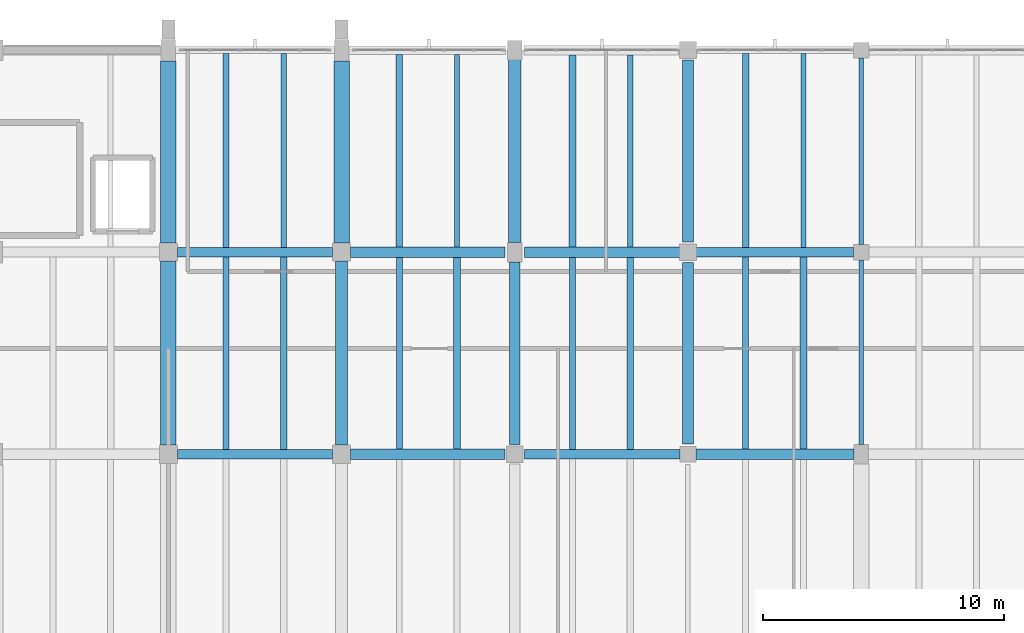
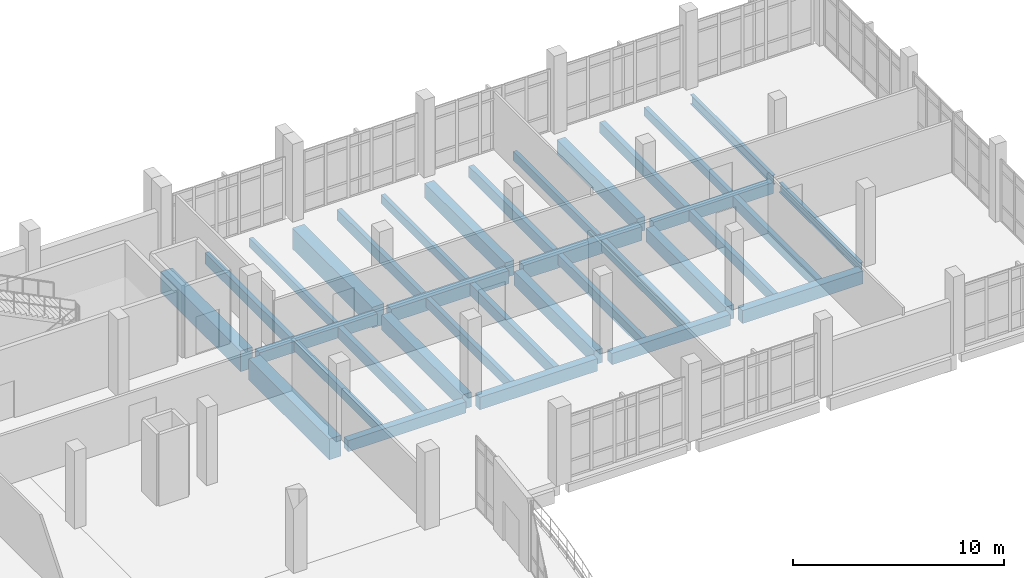
# One storey, part 73 of 116: 34 beams.
"""IFC4 building model written with IfcOpenShell, lengths in metres."""

from ifc_helpers import new_model, si_unit, direction, frame, origin, origin_2d, place, context, subcontext, project, spatial, rectangle, i_section, extrude, material, material_profile, profile_set, type_object, element, save


model = new_model("IFC4")

# Units and contexts
model_context = context("Model", 3, precision=1e-05, world=origin(), true_north=direction((0.0, 1.0)))
body_context = subcontext(model_context, "Body", "Model", "MODEL_VIEW")
ifc_project = project(units=[si_unit("LENGTHUNIT", "METRE"), si_unit("AREAUNIT", "SQUARE_METRE"), si_unit("VOLUMEUNIT", "CUBIC_METRE"), si_unit("PLANEANGLEUNIT", "RADIAN"), si_unit("MASSUNIT", "GRAM", prefix="KILO")], contexts=[model_context])

# Site, building, storey
site_placement = place(None, origin())
site = spatial("IfcSite", under=ifc_project, at=site_placement, CompositionType="ELEMENT")
building_placement = place(site_placement, origin())
building = spatial("IfcBuilding", under=site, at=building_placement, Name="Kalluvel Institute of Natural Sciences", CompositionType="ELEMENT")
storey_placement = place(building_placement, frame((0.0, 0.0, 14.39990234375)))
storey = spatial("IfcBuildingStorey", under=building, at=storey_placement, Name="L03", CompositionType="ELEMENT", Elevation=14.39990234375)

# Beams
ifc_material_1 = material(Name="Steel E350 Grade 350", Category="steel")
ifc_material_profile_1 = material_profile(ifc_material_1, i_section(OverallWidth=0.18994140625, OverallDepth=0.550048828125, WebThickness=0.01123046875, FlangeThickness=0.019287109375, FilletRadius=0.01806640625, at=origin_2d()), Name="ISMB 550")
ifc_profile_set_1 = profile_set([ifc_material_profile_1], Name="Steel E350 Grade 350")
beam_type_1 = type_object("IfcBeamType", Name="BM-ISMB550", PredefinedType="BEAM", material=ifc_profile_set_1)
beam_1_placement = place(storey_placement, frame((107.60009765625, 111.60009765625, -0.594970703125), z_axis=(0.0, 1.0, 0.0), x_axis=(-1.0, 0.0, 0.0)))
element("IfcBeam", 1, at=beam_1_placement, inside=storey, type_object=beam_type_1, Name="L03 girder GIR-L03-NS-X1076-Y1112", PredefinedType="BEAM", context=body_context, shape_type="SweptSolid", body=[
    extrude(i_section(OverallWidth=0.18994140625, OverallDepth=0.550048828125, WebThickness=0.01123046875, FlangeThickness=0.019287109375, FilletRadius=0.01806640625, at=origin_2d()), origin(), (0.0, 0.0, 1.0), 7.6748046875),
])
beam_2_placement = place(storey_placement, frame((107.60009765625, 119.925048828125, -0.594970703125), z_axis=(0.0, 1.0, 0.0), x_axis=(-1.0, 0.0, 0.0)))
element("IfcBeam", 2, at=beam_2_placement, inside=storey, type_object=beam_type_1, Name="L03 girder GIR-L03-NS-X1076-Y1196", PredefinedType="BEAM", context=body_context, shape_type="SweptSolid", body=[
    extrude(i_section(OverallWidth=0.18994140625, OverallDepth=0.550048828125, WebThickness=0.01123046875, FlangeThickness=0.019287109375, FilletRadius=0.01806640625, at=origin_2d()), origin(), (0.0, 0.0, 1.0), 7.75),
])
ifc_material_2 = material(Name="Concrete M40", Category="concrete")
ifc_material_profile_2 = material_profile(ifc_material_2, rectangle(XDim=0.3798828125, YDim=0.639892578125, at=origin_2d()), Name="RCB 380x640")
ifc_profile_set_2 = profile_set([ifc_material_profile_2], Name="Concrete M40")
beam_type_2 = type_object("IfcBeamType", Name="BM-RC380x640", PredefinedType="BEAM", material=ifc_profile_set_2)
beam_3_placement = place(storey_placement, frame((79.175048828125, 111.199951171875, -0.639892578125), z_axis=(1.0, 0.0, 0.0), x_axis=(0.0, 1.0, 0.0)))
element("IfcBeam", 3, at=beam_3_placement, inside=storey, type_object=beam_type_2, Name="L03 girder GIR-L03-EW-X788-Y1112", PredefinedType="BEAM", context=body_context, shape_type="SweptSolid", body=[
    extrude(rectangle(XDim=0.3798828125, YDim=0.639892578125, at=origin_2d()), origin(), (0.0, 0.0, 1.0), 6.449951171875),
])
beam_4_placement = place(storey_placement, frame((100.72509765625, 119.60009765625, -0.639892578125), z_axis=(1.0, 0.0, 0.0), x_axis=(0.0, 1.0, 0.0)))
element("IfcBeam", 4, at=beam_4_placement, inside=storey, type_object=beam_type_2, Name="L03 girder GIR-L03-EW-X1004-Y1196", PredefinedType="BEAM", context=body_context, shape_type="SweptSolid", body=[
    extrude(rectangle(XDim=0.3798828125, YDim=0.639892578125, at=origin_2d()), origin(), (0.0, 0.0, 1.0), 6.5498046875),
])
ifc_material_profile_3 = material_profile(ifc_material_2, rectangle(XDim=0.39990234375, YDim=0.64990234375, at=origin_2d()), Name="RCB 400x650")
ifc_profile_set_3 = profile_set([ifc_material_profile_3], Name="Concrete M40")
beam_type_3 = type_object("IfcBeamType", Name="BM-RC400x650", PredefinedType="BEAM", material=ifc_profile_set_3)
beam_5_placement = place(storey_placement, frame((93.60009765625, 111.199951171875, -0.64501953125), z_axis=(1.0, 0.0, 0.0), x_axis=(0.0, 1.0, 0.0)))
element("IfcBeam", 5, at=beam_5_placement, inside=storey, type_object=beam_type_3, Name="L03 girder GIR-L03-EW-X932-Y1112", PredefinedType="BEAM", context=body_context, shape_type="SweptSolid", body=[
    extrude(rectangle(XDim=0.39990234375, YDim=0.64990234375, at=origin_2d()), origin(), (0.0, 0.0, 1.0), 6.474853515625),
])
beam_6_placement = place(storey_placement, frame((79.175048828125, 119.60009765625, -0.64501953125), z_axis=(1.0, 0.0, 0.0), x_axis=(0.0, 1.0, 0.0)))
element("IfcBeam", 6, at=beam_6_placement, inside=storey, type_object=beam_type_3, Name="L03 girder GIR-L03-EW-X788-Y1196", PredefinedType="BEAM", context=body_context, shape_type="SweptSolid", body=[
    extrude(rectangle(XDim=0.39990234375, YDim=0.64990234375, at=origin_2d()), origin(), (0.0, 0.0, 1.0), 6.449951171875),
])
ifc_material_profile_4 = material_profile(ifc_material_2, rectangle(XDim=0.419921875, YDim=0.719970703125, at=origin_2d()), Name="RCB 420x720")
ifc_profile_set_4 = profile_set([ifc_material_profile_4], Name="Concrete M40")
beam_type_4 = type_object("IfcBeamType", Name="BM-RC420x720", PredefinedType="BEAM", material=ifc_profile_set_4)
beam_7_placement = place(storey_placement, frame((86.375, 111.199951171875, -0.679931640625), z_axis=(1.0, 0.0, 0.0), x_axis=(0.0, 1.0, 0.0)))
element("IfcBeam", 7, at=beam_7_placement, inside=storey, type_object=beam_type_4, Name="L03 girder GIR-L03-EW-X860-Y1112", PredefinedType="BEAM", context=body_context, shape_type="SweptSolid", body=[
    extrude(rectangle(XDim=0.419921875, YDim=0.719970703125, at=origin_2d()), origin(), (0.0, 0.0, 1.0), 6.425048828125),
])
ifc_material_profile_5 = material_profile(ifc_material_2, rectangle(XDim=0.449951171875, YDim=0.75, at=origin_2d()), Name="RCB 450x750")
ifc_profile_set_5 = profile_set([ifc_material_profile_5], Name="Concrete M40")
beam_type_5 = type_object("IfcBeamType", Name="BM-RC450x750", PredefinedType="BEAM", material=ifc_profile_set_5)
beam_8_placement = place(storey_placement, frame((100.72509765625, 111.199951171875, -0.69482421875), z_axis=(1.0, 0.0, 0.0), x_axis=(0.0, 1.0, 0.0)))
element("IfcBeam", 8, at=beam_8_placement, inside=storey, type_object=beam_type_5, Name="L03 girder GIR-L03-EW-X1004-Y1112", PredefinedType="BEAM", context=body_context, shape_type="SweptSolid", body=[
    extrude(rectangle(XDim=0.449951171875, YDim=0.75, at=origin_2d()), origin(), (0.0, 0.0, 1.0), 6.574951171875),
])
beam_9_placement = place(storey_placement, frame((86.375, 119.60009765625, -0.69482421875), z_axis=(1.0, 0.0, 0.0), x_axis=(0.0, 1.0, 0.0)))
element("IfcBeam", 9, at=beam_9_placement, inside=storey, type_object=beam_type_5, Name="L03 girder GIR-L03-EW-X860-Y1196", PredefinedType="BEAM", context=body_context, shape_type="SweptSolid", body=[
    extrude(rectangle(XDim=0.449951171875, YDim=0.75, at=origin_2d()), origin(), (0.0, 0.0, 1.0), 6.425048828125),
])
ifc_material_profile_6 = material_profile(ifc_material_2, rectangle(XDim=0.449951171875, YDim=0.800048828125, at=origin_2d()), Name="RCB 450x800")
ifc_profile_set_6 = profile_set([ifc_material_profile_6], Name="Concrete M40")
beam_type_6 = type_object("IfcBeamType", Name="BM-RC450x800", PredefinedType="BEAM", material=ifc_profile_set_6)
beam_10_placement = place(storey_placement, frame((93.60009765625, 119.60009765625, -0.719970703125), z_axis=(1.0, 0.0, 0.0), x_axis=(0.0, 1.0, 0.0)))
element("IfcBeam", 10, at=beam_10_placement, inside=storey, type_object=beam_type_6, Name="L03 girder GIR-L03-EW-X932-Y1196", PredefinedType="BEAM", context=body_context, shape_type="SweptSolid", body=[
    extrude(rectangle(XDim=0.449951171875, YDim=0.800048828125, at=origin_2d()), origin(), (0.0, 0.0, 1.0), 6.474853515625),
])
beam_11_placement = place(storey_placement, frame((93.199951171875, 111.60009765625, -0.719970703125), z_axis=(0.0, 1.0, 0.0), x_axis=(-1.0, 0.0, 0.0)))
element("IfcBeam", 11, at=beam_11_placement, inside=storey, type_object=beam_type_6, Name="L03 girder GIR-L03-NS-X932-Y1112", PredefinedType="BEAM", context=body_context, shape_type="SweptSolid", body=[
    extrude(rectangle(XDim=0.449951171875, YDim=0.800048828125, at=origin_2d()), origin(), (0.0, 0.0, 1.0), 7.599853515625),
])
beam_12_placement = place(storey_placement, frame((100.39990234375, 111.625, -0.719970703125), z_axis=(0.0, 1.0, 0.0), x_axis=(-1.0, 0.0, 0.0)))
element("IfcBeam", 12, at=beam_12_placement, inside=storey, type_object=beam_type_6, Name="L03 girder GIR-L03-NS-X1004-Y1112", PredefinedType="BEAM", context=body_context, shape_type="SweptSolid", body=[
    extrude(rectangle(XDim=0.449951171875, YDim=0.800048828125, at=origin_2d()), origin(), (0.0, 0.0, 1.0), 7.550048828125),
])
beam_13_placement = place(storey_placement, frame((100.39990234375, 120.02490234375, -0.719970703125), z_axis=(0.0, 1.0, 0.0), x_axis=(-1.0, 0.0, 0.0)))
element("IfcBeam", 13, at=beam_13_placement, inside=storey, type_object=beam_type_6, Name="L03 girder GIR-L03-NS-X1004-Y1196", PredefinedType="BEAM", context=body_context, shape_type="SweptSolid", body=[
    extrude(rectangle(XDim=0.449951171875, YDim=0.800048828125, at=origin_2d()), origin(), (0.0, 0.0, 1.0), 7.5751953125),
])
ifc_material_3 = material(Name="Concrete M50", Category="concrete")
ifc_material_profile_7 = material_profile(ifc_material_3, rectangle(XDim=0.5, YDim=0.85009765625, at=origin_2d()), Name="RCB 500x850")
ifc_profile_set_7 = profile_set([ifc_material_profile_7], Name="Concrete M50")
beam_type_7 = type_object("IfcBeamType", Name="BM-RC500x850", PredefinedType="BEAM", material=ifc_profile_set_7)
beam_14_placement = place(storey_placement, frame((86.0, 111.574951171875, -0.744873046875), z_axis=(0.0, 1.0, 0.0), x_axis=(-1.0, 0.0, 0.0)))
element("IfcBeam", 14, at=beam_14_placement, inside=storey, type_object=beam_type_7, Name="L03 girder GIR-L03-NS-X860-Y1112", PredefinedType="BEAM", context=body_context, shape_type="SweptSolid", body=[
    extrude(rectangle(XDim=0.5, YDim=0.85009765625, at=origin_2d()), origin(), (0.0, 0.0, 1.0), 7.650146484375),
])
beam_15_placement = place(storey_placement, frame((93.199951171875, 120.0, -0.744873046875), z_axis=(0.0, 1.0, 0.0), x_axis=(-1.0, 0.0, 0.0)))
element("IfcBeam", 15, at=beam_15_placement, inside=storey, type_object=beam_type_7, Name="L03 girder GIR-L03-NS-X932-Y1196", PredefinedType="BEAM", context=body_context, shape_type="SweptSolid", body=[
    extrude(rectangle(XDim=0.5, YDim=0.85009765625, at=origin_2d()), origin(), (0.0, 0.0, 1.0), 7.625),
])
ifc_material_profile_8 = material_profile(ifc_material_3, rectangle(XDim=0.64990234375, YDim=1.199951171875, at=origin_2d()), Name="RCB 650x1200")
ifc_profile_set_8 = profile_set([ifc_material_profile_8], Name="Concrete M50")
beam_type_8 = type_object("IfcBeamType", Name="BM-RC650x1200", PredefinedType="BEAM", material=ifc_profile_set_8)
beam_16_placement = place(storey_placement, frame((78.800048828125, 111.574951171875, -0.919921875), z_axis=(0.0, 1.0, 0.0), x_axis=(-1.0, 0.0, 0.0)))
element("IfcBeam", 16, at=beam_16_placement, inside=storey, type_object=beam_type_8, Name="L03 girder GIR-L03-NS-X788-Y1112", PredefinedType="BEAM", context=body_context, shape_type="SweptSolid", body=[
    extrude(rectangle(XDim=0.64990234375, YDim=1.199951171875, at=origin_2d()), origin(), (0.0, 0.0, 1.0), 7.650146484375),
])
for number, where, z_axis, x_axis, name in (
    (17, (78.800048828125, 119.97509765625, -0.919921875), (0.0, 1.0, 0.0), (-1.0, 0.0, 0.0), "L03 girder GIR-L03-NS-X788-Y1196"),
    (18, (86.0, 119.97509765625, -0.919921875), (0.0, 1.0, 0.0), (-1.0, 0.0, 0.0), "L03 girder GIR-L03-NS-X860-Y1196"),
):
    element("IfcBeam", number, at=place(storey_placement, frame(where, z_axis=z_axis, x_axis=x_axis)), inside=storey, type_object=beam_type_8, Name=name, PredefinedType="BEAM", context=body_context, shape_type="SweptSolid", body=[
        extrude(rectangle(XDim=0.64990234375, YDim=1.199951171875, at=origin_2d()), origin(), (0.0, 0.0, 1.0), 7.574951171875),
    ])
ifc_material_profile_9 = material_profile(ifc_material_2, rectangle(XDim=0.219970703125, YDim=0.5, at=origin_2d()), Name="WAF 220x500")
ifc_profile_set_9 = profile_set([ifc_material_profile_9], Name="Concrete M40")
beam_type_9 = type_object("IfcBeamType", Name="WJ-220x500", PredefinedType="JOIST", material=ifc_profile_set_9)
beam_17_placement = place(storey_placement, frame((83.60009765625, 119.800048828125, -0.56982421875), z_axis=(0.0, 1.0, 0.0), x_axis=(-1.0, 0.0, 0.0)))
element("IfcBeam", 19, at=beam_17_placement, inside=storey, type_object=beam_type_9, Name="L03 waffle joist RIB-L03-0268", PredefinedType="JOIST", context=body_context, shape_type="SweptSolid", body=[
    extrude(rectangle(XDim=0.219970703125, YDim=0.5, at=origin_2d()), origin(), (0.0, 0.0, 1.0), 8.050048828125),
])
beam_18_placement = place(storey_placement, frame((90.800048828125, 119.824951171875, -0.56982421875), z_axis=(0.0, 1.0, 0.0), x_axis=(-1.0, 0.0, 0.0)))
element("IfcBeam", 20, at=beam_18_placement, inside=storey, type_object=beam_type_9, Name="L03 waffle joist RIB-L03-0274", PredefinedType="JOIST", context=body_context, shape_type="SweptSolid", body=[
    extrude(rectangle(XDim=0.219970703125, YDim=0.5, at=origin_2d()), origin(), (0.0, 0.0, 1.0), 8.0),
])
beam_19_placement = place(storey_placement, frame((98.0, 119.824951171875, -0.56982421875), z_axis=(0.0, 1.0, 0.0), x_axis=(-1.0, 0.0, 0.0)))
element("IfcBeam", 21, at=beam_19_placement, inside=storey, type_object=beam_type_9, Name="L03 waffle joist RIB-L03-0280", PredefinedType="JOIST", context=body_context, shape_type="SweptSolid", body=[
    extrude(rectangle(XDim=0.219970703125, YDim=0.5, at=origin_2d()), origin(), (0.0, 0.0, 1.0), 7.97509765625),
])
beam_20_placement = place(storey_placement, frame((105.199951171875, 119.7900390625, -0.56982421875), z_axis=(0.0, 1.0, 0.0), x_axis=(-1.0, 0.0, 0.0)))
element("IfcBeam", 22, at=beam_20_placement, inside=storey, type_object=beam_type_9, Name="L03 waffle joist RIB-L03-0286", PredefinedType="JOIST", context=body_context, shape_type="SweptSolid", body=[
    extrude(rectangle(XDim=0.219970703125, YDim=0.5, at=origin_2d()), origin(), (0.0, 0.0, 1.0), 8.06005859375),
])
ifc_material_profile_10 = material_profile(ifc_material_2, rectangle(XDim=0.25, YDim=0.550048828125, at=origin_2d()), Name="WAF 250x550")
ifc_profile_set_10 = profile_set([ifc_material_profile_10], Name="Concrete M40")
beam_type_10 = type_object("IfcBeamType", Name="WJ-250x550", PredefinedType="JOIST", material=ifc_profile_set_10)
beam_21_placement = place(storey_placement, frame((81.199951171875, 111.389892578125, -0.594970703125), z_axis=(0.0, 1.0, 0.0), x_axis=(-1.0, 0.0, 0.0)))
element("IfcBeam", 23, at=beam_21_placement, inside=storey, type_object=beam_type_10, Name="L03 waffle joist RIB-L03-0265", PredefinedType="JOIST", context=body_context, shape_type="SweptSolid", body=[
    extrude(rectangle(XDim=0.25, YDim=0.550048828125, at=origin_2d()), origin(), (0.0, 0.0, 1.0), 8.010009765625),
])
beam_22_placement = place(storey_placement, frame((88.39990234375, 111.409912109375, -0.594970703125), z_axis=(0.0, 1.0, 0.0), x_axis=(-1.0, 0.0, 0.0)))
element("IfcBeam", 24, at=beam_22_placement, inside=storey, type_object=beam_type_10, Name="L03 waffle joist RIB-L03-0271", PredefinedType="JOIST", context=body_context, shape_type="SweptSolid", body=[
    extrude(rectangle(XDim=0.25, YDim=0.550048828125, at=origin_2d()), origin(), (0.0, 0.0, 1.0), 7.965087890625),
])
ifc_material_profile_11 = material_profile(ifc_material_2, rectangle(XDim=0.25, YDim=0.60009765625, at=origin_2d()), Name="WAF 250x600")
ifc_profile_set_11 = profile_set([ifc_material_profile_11], Name="Concrete M40")
beam_type_11 = type_object("IfcBeamType", Name="WJ-250x600", PredefinedType="JOIST", material=ifc_profile_set_11)
beam_23_placement = place(storey_placement, frame((95.60009765625, 111.39990234375, -0.619873046875), z_axis=(0.0, 1.0, 0.0), x_axis=(-1.0, 0.0, 0.0)))
element("IfcBeam", 25, at=beam_23_placement, inside=storey, type_object=beam_type_11, Name="L03 waffle joist RIB-L03-0277", PredefinedType="JOIST", context=body_context, shape_type="SweptSolid", body=[
    extrude(rectangle(XDim=0.25, YDim=0.60009765625, at=origin_2d()), origin(), (0.0, 0.0, 1.0), 7.97509765625),
])
beam_24_placement = place(storey_placement, frame((102.800048828125, 111.425048828125, -0.619873046875), z_axis=(0.0, 1.0, 0.0), x_axis=(-1.0, 0.0, 0.0)))
element("IfcBeam", 26, at=beam_24_placement, inside=storey, type_object=beam_type_11, Name="L03 waffle joist RIB-L03-0283", PredefinedType="JOIST", context=body_context, shape_type="SweptSolid", body=[
    extrude(rectangle(XDim=0.25, YDim=0.60009765625, at=origin_2d()), origin(), (0.0, 0.0, 1.0), 7.98486328125),
])
ifc_material_profile_12 = material_profile(ifc_material_3, rectangle(XDim=0.260009765625, YDim=0.6201171875, at=origin_2d()), Name="WAF 260x620")
ifc_profile_set_12 = profile_set([ifc_material_profile_12], Name="Concrete M50")
beam_type_12 = type_object("IfcBeamType", Name="WJ-260x620", PredefinedType="JOIST", material=ifc_profile_set_12)
beam_25_placement = place(storey_placement, frame((81.199951171875, 119.800048828125, -0.6298828125), z_axis=(0.0, 1.0, 0.0), x_axis=(-1.0, 0.0, 0.0)))
element("IfcBeam", 27, at=beam_25_placement, inside=storey, type_object=beam_type_12, Name="L03 waffle joist RIB-L03-0267", PredefinedType="JOIST", context=body_context, shape_type="SweptSolid", body=[
    extrude(rectangle(XDim=0.260009765625, YDim=0.6201171875, at=origin_2d()), origin(), (0.0, 0.0, 1.0), 8.050048828125),
])
beam_26_placement = place(storey_placement, frame((88.39990234375, 119.824951171875, -0.6298828125), z_axis=(0.0, 1.0, 0.0), x_axis=(-1.0, 0.0, 0.0)))
element("IfcBeam", 28, at=beam_26_placement, inside=storey, type_object=beam_type_12, Name="L03 waffle joist RIB-L03-0273", PredefinedType="JOIST", context=body_context, shape_type="SweptSolid", body=[
    extrude(rectangle(XDim=0.260009765625, YDim=0.6201171875, at=origin_2d()), origin(), (0.0, 0.0, 1.0), 8.0),
])
ifc_material_profile_13 = material_profile(ifc_material_3, rectangle(XDim=0.280029296875, YDim=0.64990234375, at=origin_2d()), Name="WAF 280x650")
ifc_profile_set_13 = profile_set([ifc_material_profile_13], Name="Concrete M50")
beam_type_13 = type_object("IfcBeamType", Name="WJ-280x650", PredefinedType="JOIST", material=ifc_profile_set_13)
beam_27_placement = place(storey_placement, frame((83.60009765625, 111.389892578125, -0.64501953125), z_axis=(0.0, 1.0, 0.0), x_axis=(-1.0, 0.0, 0.0)))
element("IfcBeam", 29, at=beam_27_placement, inside=storey, type_object=beam_type_13, Name="L03 waffle joist RIB-L03-0266", PredefinedType="JOIST", context=body_context, shape_type="SweptSolid", body=[
    extrude(rectangle(XDim=0.280029296875, YDim=0.64990234375, at=origin_2d()), origin(), (0.0, 0.0, 1.0), 8.010009765625),
])
beam_28_placement = place(storey_placement, frame((90.800048828125, 111.409912109375, -0.64501953125), z_axis=(0.0, 1.0, 0.0), x_axis=(-1.0, 0.0, 0.0)))
element("IfcBeam", 30, at=beam_28_placement, inside=storey, type_object=beam_type_13, Name="L03 waffle joist RIB-L03-0272", PredefinedType="JOIST", context=body_context, shape_type="SweptSolid", body=[
    extrude(rectangle(XDim=0.280029296875, YDim=0.64990234375, at=origin_2d()), origin(), (0.0, 0.0, 1.0), 7.965087890625),
])
for number, where, z_axis, x_axis, name in (
    (31, (98.0, 111.39990234375, -0.64501953125), (0.0, 1.0, 0.0), (-1.0, 0.0, 0.0), "L03 waffle joist RIB-L03-0278"),
    (32, (95.60009765625, 119.824951171875, -0.64501953125), (0.0, 1.0, 0.0), (-1.0, 0.0, 0.0), "L03 waffle joist RIB-L03-0279"),
):
    element("IfcBeam", number, at=place(storey_placement, frame(where, z_axis=z_axis, x_axis=x_axis)), inside=storey, type_object=beam_type_13, Name=name, PredefinedType="JOIST", context=body_context, shape_type="SweptSolid", body=[
        extrude(rectangle(XDim=0.280029296875, YDim=0.64990234375, at=origin_2d()), origin(), (0.0, 0.0, 1.0), 7.97509765625),
    ])
beam_29_placement = place(storey_placement, frame((105.199951171875, 111.425048828125, -0.64501953125), z_axis=(0.0, 1.0, 0.0), x_axis=(-1.0, 0.0, 0.0)))
element("IfcBeam", 33, at=beam_29_placement, inside=storey, type_object=beam_type_13, Name="L03 waffle joist RIB-L03-0284", PredefinedType="JOIST", context=body_context, shape_type="SweptSolid", body=[
    extrude(rectangle(XDim=0.280029296875, YDim=0.64990234375, at=origin_2d()), origin(), (0.0, 0.0, 1.0), 7.98486328125),
])
beam_30_placement = place(storey_placement, frame((102.800048828125, 119.7900390625, -0.64501953125), z_axis=(0.0, 1.0, 0.0), x_axis=(-1.0, 0.0, 0.0)))
element("IfcBeam", 34, at=beam_30_placement, inside=storey, type_object=beam_type_13, Name="L03 waffle joist RIB-L03-0285", PredefinedType="JOIST", context=body_context, shape_type="SweptSolid", body=[
    extrude(rectangle(XDim=0.280029296875, YDim=0.64990234375, at=origin_2d()), origin(), (0.0, 0.0, 1.0), 8.06005859375),
])

save(model, "model.ifc")
